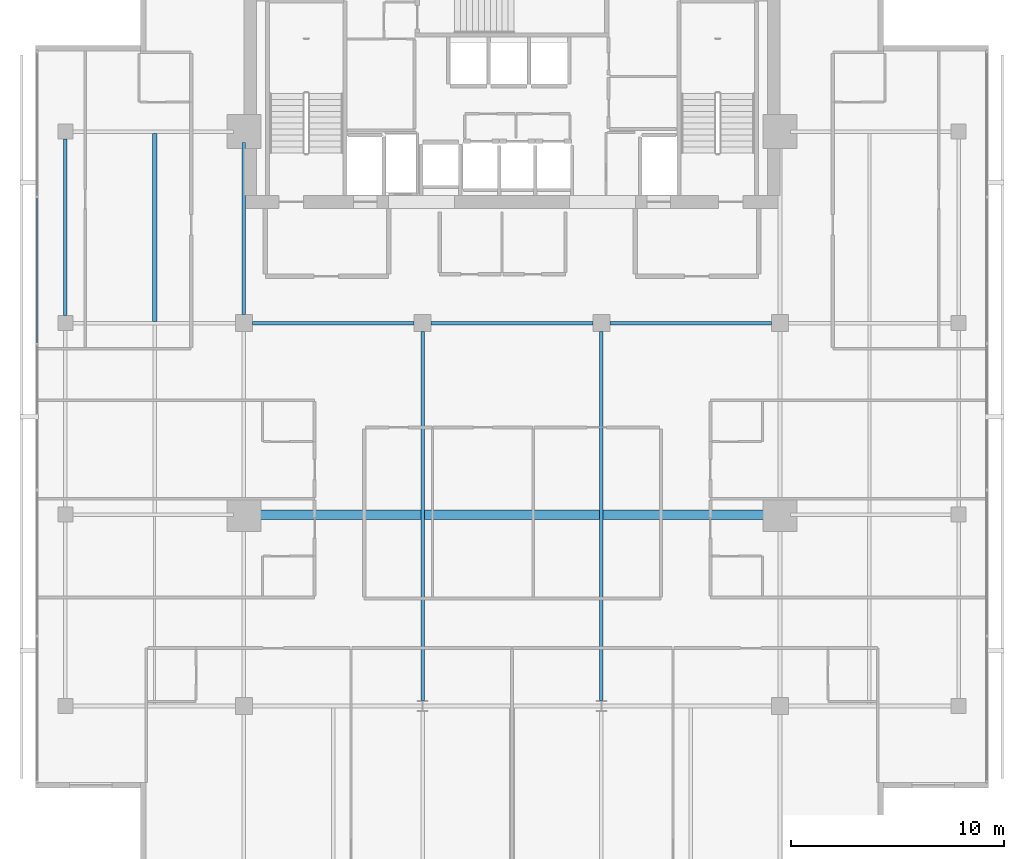
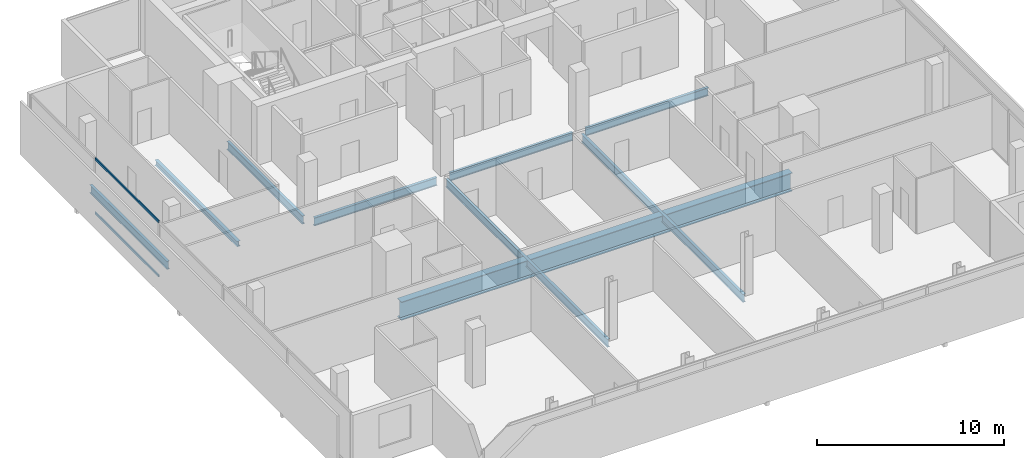
# One storey, part 9 of 25: 9 beams, 2 members, 1 element without a shape of its own.
"""IFC4 building model written with IfcOpenShell, lengths in metres."""

from ifc_helpers import new_model, si_unit, direction, frame, origin, origin_2d, place, context, subcontext, project, spatial, hollow_rectangle, i_section, extrude, material, layer, layer_set, material_profile, profile_set, type_object, element, aggregate, save


model = new_model("IFC4")

# Units and contexts
model_context = context("Model", 3, precision=1e-05, world=origin(), true_north=direction((0.0, 1.0)))
body_context = subcontext(model_context, "Body", "Model", "MODEL_VIEW")
ifc_project = project(units=[si_unit("LENGTHUNIT", "METRE"), si_unit("AREAUNIT", "SQUARE_METRE"), si_unit("VOLUMEUNIT", "CUBIC_METRE"), si_unit("PLANEANGLEUNIT", "RADIAN"), si_unit("MASSUNIT", "GRAM", prefix="KILO")], contexts=[model_context])

# Site, building, storey
site_placement = place(None, origin())
site = spatial("IfcSite", under=ifc_project, at=site_placement, CompositionType="ELEMENT")
building_placement = place(site_placement, origin())
building = spatial("IfcBuilding", under=site, at=building_placement, Name="Maruvema Waterfront Hotel and Observation Tower", CompositionType="ELEMENT")
storey_placement = place(building_placement, frame((0.0, 0.0, 277.89990234375)))
storey = spatial("IfcBuildingStorey", under=building, at=storey_placement, Name="L68", CompositionType="ELEMENT", Elevation=277.89990234375)

# Curtain wall, members
ifc_material_1 = material(Name="Anodised bronze aluminium and solar-control low-E IGU", Category="aluminium")
ifc_layer = layer(ifc_material_1, 0.159912109375, Name="Zone 3 Champagne Inner Thermal Curtain Wall System CW-04")
ifc_layer_set = layer_set([ifc_layer], Name="Anodised bronze aluminium and solar-control low-E IGU")
curtain_wall_type = type_object("IfcCurtainWallType", Name="Zone 3 Champagne Inner Thermal Curtain Wall System CW-04", PredefinedType="USERDEFINED", material=ifc_layer_set)
curtain_wall_placement = place(storey_placement, origin())
curtain_wall = element("IfcCurtainWall", 1, at=curtain_wall_placement, inside=storey, type_object=curtain_wall_type, Name="L68 Curtain Wall CW-L68-W", ObjectType="UNITISED CURTAIN WALL", PredefinedType="USERDEFINED")
ifc_material_2 = material(Name="Anodised architectural bronze aluminium", Category="aluminium")
ifc_material_profile_1 = material_profile(ifc_material_2, hollow_rectangle(XDim=0.070068359375, YDim=0.14990234375, WallThickness=0.00390625, at=origin_2d()), Name="ALU-T70x150")
ifc_profile_set_1 = profile_set([ifc_material_profile_1], Name="Anodised architectural bronze aluminium")
member_type = type_object("IfcMemberType", Name="Curtain Wall Horizontal Transom ALU-T70x150", PredefinedType="USERDEFINED", material=ifc_profile_set_1)
member_1_placement = place(storey_placement, frame((15.47998046875, 41.889892578125, 0.030029296875), z_axis=(0.0, -1.0, 0.0), x_axis=(1.0, 0.0, 0.0)))
member_1 = element("IfcMember", 2, at=member_1_placement, type_object=member_type, Name="CW-04 transom 2.1", ObjectType="TRANSOM", PredefinedType="USERDEFINED", context=body_context, shape_type="SweptSolid", body=[
    extrude(hollow_rectangle(XDim=0.070068359375, YDim=0.14990234375, WallThickness=0.00390625, at=origin_2d()), origin(), (0.0, 0.0, 1.0), 6.81982421875),
])
member_2_placement = place(storey_placement, frame((15.47998046875, 41.889892578125, 3.580078125), z_axis=(0.0, -1.0, 0.0), x_axis=(1.0, 0.0, 0.0)))
member_2 = element("IfcMember", 3, at=member_2_placement, type_object=member_type, Name="CW-04 transom 2.2", ObjectType="TRANSOM", PredefinedType="USERDEFINED", context=body_context, shape_type="SweptSolid", body=[
    extrude(hollow_rectangle(XDim=0.070068359375, YDim=0.14990234375, WallThickness=0.00390625, at=origin_2d()), origin(), (0.0, 0.0, 1.0), 6.81982421875),
])
aggregate(curtain_wall, [member_1, member_2])

# Beams
ifc_material_3 = material(Name="Steel ASTM A572 Grade 50", Category="steel")
ifc_material_profile_2 = material_profile(ifc_material_3, i_section(OverallWidth=0.166015625, OverallDepth=0.529052734375, WebThickness=0.009765625, FlangeThickness=0.013671875, FilletRadius=0.014892578125, at=origin_2d()), Name="W530x74.0")
ifc_profile_set_2 = profile_set([ifc_material_profile_2], Name="Steel ASTM A572 Grade 50")
beam_type_1 = type_object("IfcBeamType", Name="Primary Floor Girder W530x74.0", PredefinedType="BEAM", material=ifc_profile_set_2)
beam_1_placement = place(storey_placement, frame((25.60009765625, 36.0, -0.50439453125), z_axis=(1.0, 0.0, 0.0), x_axis=(0.0, 1.0, 0.0)))
element("IfcBeam", 4, at=beam_1_placement, inside=storey, type_object=beam_type_1, Name="L68 Floor Girder EW-13", PredefinedType="BEAM", context=body_context, shape_type="SweptSolid", body=[
    extrude(i_section(OverallWidth=0.166015625, OverallDepth=0.529052734375, WebThickness=0.009765625, FlangeThickness=0.013671875, FilletRadius=0.014892578125, at=origin_2d()), origin(), (0.0, 0.0, 1.0), 7.599853515625),
])
for number, where, z_axis, x_axis, name in (
    (5, (34.0, 36.0, -0.50439453125), (1.0, 0.0, 0.0), (0.0, 1.0, 0.0), "L68 Floor Girder EW-14"),
    (6, (42.39990234375, 36.0, -0.50439453125), (1.0, 0.0, 0.0), (0.0, 1.0, 0.0), "L68 Floor Girder EW-15"),
):
    element("IfcBeam", number, at=place(storey_placement, frame(where, z_axis=z_axis, x_axis=x_axis)), inside=storey, type_object=beam_type_1, Name=name, PredefinedType="BEAM", context=body_context, shape_type="SweptSolid", body=[
        extrude(i_section(OverallWidth=0.166015625, OverallDepth=0.529052734375, WebThickness=0.009765625, FlangeThickness=0.013671875, FilletRadius=0.014892578125, at=origin_2d()), origin(), (0.0, 0.0, 1.0), 7.60009765625),
    ])
beam_2_placement = place(storey_placement, frame((16.800048828125, 36.35009765625, -0.50439453125), z_axis=(0.0, 1.0, 0.0), x_axis=(-1.0, 0.0, 0.0)))
element("IfcBeam", 7, at=beam_2_placement, inside=storey, type_object=beam_type_1, Name="L68 Floor Girder NS-03", PredefinedType="BEAM", context=body_context, shape_type="SweptSolid", body=[
    extrude(i_section(OverallWidth=0.166015625, OverallDepth=0.529052734375, WebThickness=0.009765625, FlangeThickness=0.013671875, FilletRadius=0.014892578125, at=origin_2d()), origin(), (0.0, 0.0, 1.0), 8.2998046875),
])
beam_3_placement = place(storey_placement, frame((25.199951171875, 36.39990234375, -0.50439453125), z_axis=(0.0, 1.0, 0.0), x_axis=(-1.0, 0.0, 0.0)))
element("IfcBeam", 8, at=beam_3_placement, inside=storey, type_object=beam_type_1, Name="L68 Floor Girder NS-07", PredefinedType="BEAM", context=body_context, shape_type="SweptSolid", body=[
    extrude(i_section(OverallWidth=0.166015625, OverallDepth=0.529052734375, WebThickness=0.009765625, FlangeThickness=0.013671875, FilletRadius=0.014892578125, at=origin_2d()), origin(), (0.0, 0.0, 1.0), 8.10009765625),
])
for number, where, z_axis, x_axis, name in (
    (9, (33.60009765625, 18.25, -0.50439453125), (0.0, 1.0, 0.0), (-1.0, 0.0, 0.0), "L68 Floor Girder NS-09"),
    (10, (42.0, 18.25, -0.50439453125), (0.0, 1.0, 0.0), (-1.0, 0.0, 0.0), "L68 Floor Girder NS-11"),
):
    element("IfcBeam", number, at=place(storey_placement, frame(where, z_axis=z_axis, x_axis=x_axis)), inside=storey, type_object=beam_type_1, Name=name, PredefinedType="BEAM", context=body_context, shape_type="SweptSolid", body=[
        extrude(i_section(OverallWidth=0.166015625, OverallDepth=0.529052734375, WebThickness=0.009765625, FlangeThickness=0.013671875, FilletRadius=0.014892578125, at=origin_2d()), origin(), (0.0, 0.0, 1.0), 17.35009765625),
    ])
ifc_material_4 = material(Name="Steel ASTM A572 Grade 50", Category="steel")
ifc_material_profile_3 = material_profile(ifc_material_4, i_section(OverallWidth=0.202880859375, OverallDepth=0.346923828125, WebThickness=0.0078125, FlangeThickness=0.013427734375, FilletRadius=0.014892578125, at=origin_2d()), Name="W360x64.0")
ifc_profile_set_3 = profile_set([ifc_material_profile_3], Name="Steel ASTM A572 Grade 50")
beam_type_2 = type_object("IfcBeamType", Name="Secondary Floor Joist W360x64.0", PredefinedType="JOIST", material=ifc_profile_set_3)
beam_4_placement = place(storey_placement, frame((21.0, 36.0830078125, -0.413330078125), z_axis=(0.0, 1.0, 0.0), x_axis=(-1.0, 0.0, 0.0)))
element("IfcBeam", 11, at=beam_4_placement, inside=storey, type_object=beam_type_2, Name="L68 Secondary Floor Joist JS-03", PredefinedType="JOIST", context=body_context, shape_type="SweptSolid", body=[
    extrude(i_section(OverallWidth=0.202880859375, OverallDepth=0.346923828125, WebThickness=0.0078125, FlangeThickness=0.013427734375, FilletRadius=0.014892578125, at=origin_2d()), origin(), (0.0, 0.0, 1.0), 8.833984375),
])
ifc_material_5 = material(Name="Steel ABNT NBR 7007 AR 415 (ASTM A572 Grade 50)", Category="steel")
ifc_material_profile_4 = material_profile(ifc_material_5, i_section(OverallWidth=0.449951171875, OverallDepth=1.199951171875, WebThickness=0.01904296875, FlangeThickness=0.031982421875, at=origin_2d()), Name="VS1200x366")
ifc_profile_set_4 = profile_set([ifc_material_profile_4], Name="Steel ABNT NBR 7007 AR 415 (ASTM A572 Grade 50)")
beam_type_3 = type_object("IfcBeamType", Name="Upper Setback Transfer Girder VS1200x366", PredefinedType="USERDEFINED", material=ifc_profile_set_4)
beam_5_placement = place(storey_placement, frame((25.699951171875, 27.0, -0.83984375), z_axis=(1.0, 0.0, 0.0), x_axis=(0.0, 1.0, 0.0)))
element("IfcBeam", 12, at=beam_5_placement, inside=storey, type_object=beam_type_3, Name="L68 Floor Girder EW-10", ObjectType="TRANSFER GIRDER", PredefinedType="USERDEFINED", context=body_context, shape_type="SweptSolid", body=[
    extrude(i_section(OverallWidth=0.449951171875, OverallDepth=1.199951171875, WebThickness=0.01904296875, FlangeThickness=0.031982421875, at=origin_2d()), origin(), (0.0, 0.0, 1.0), 24.199951171875),
])

save(model, "model.ifc")
